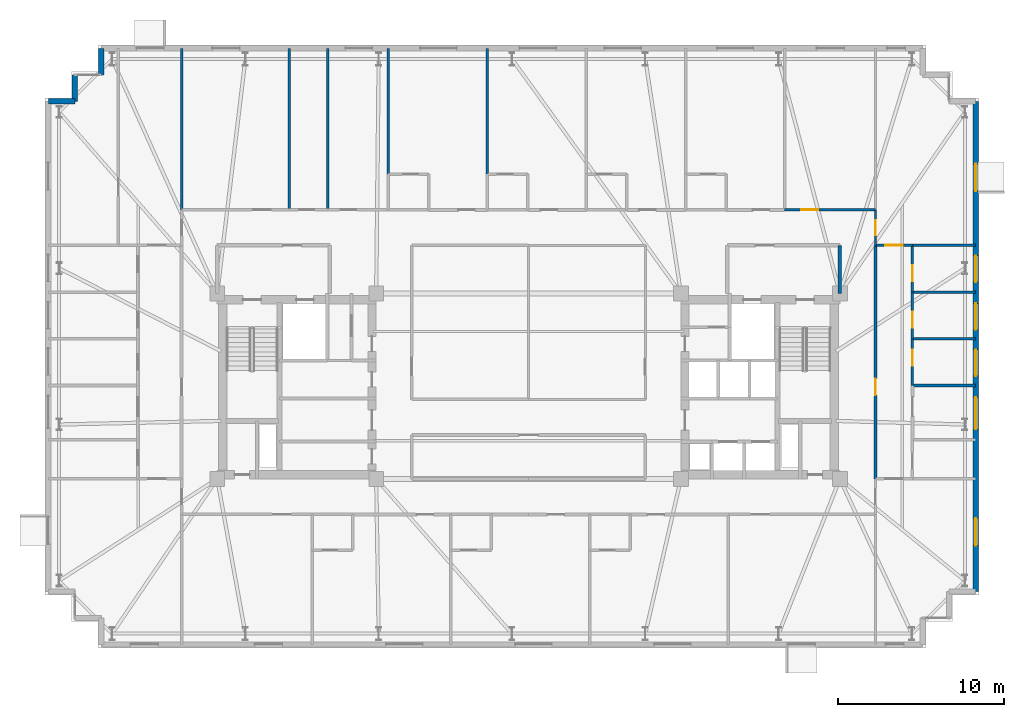
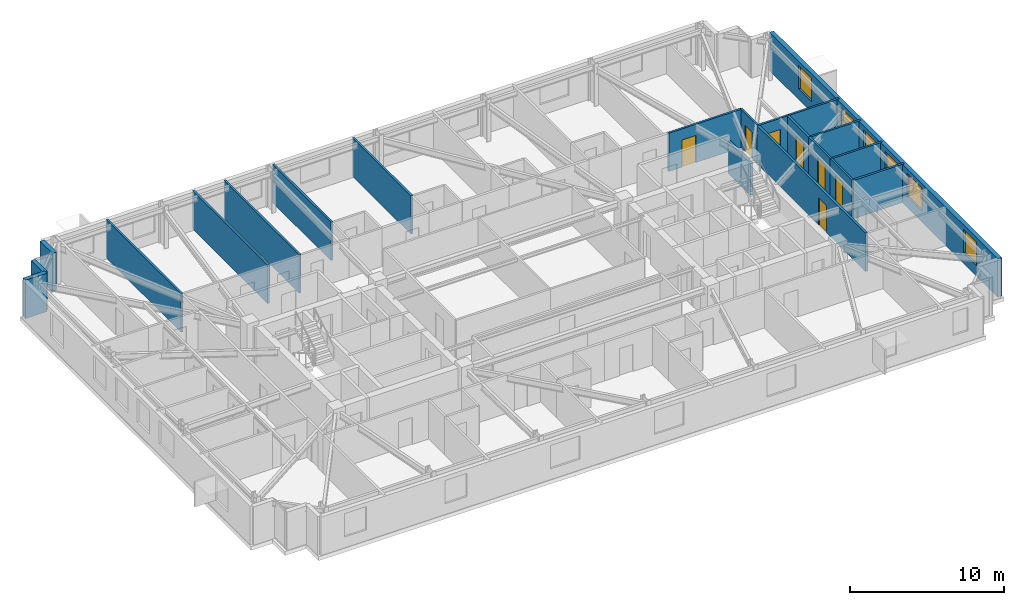
# One storey, part 15 of 18: 21 walls, 7 doors, 6 windows, 13 openings.
"""IFC4 building model written with IfcOpenShell, lengths in metres."""

from ifc_helpers import new_model, si_unit, direction, frame, frame_2d, origin, place, context, subcontext, project, spatial, rectangle, extrude, material, layer, layer_set, type_object, element, fill, save


model = new_model("IFC4")

# Units and contexts
model_context = context("Model", 3, precision=1e-05, world=origin(), true_north=direction((0.0, 1.0)))
body_context = subcontext(model_context, "Body", "Model", "MODEL_VIEW")
ifc_project = project(units=[si_unit("LENGTHUNIT", "METRE"), si_unit("AREAUNIT", "SQUARE_METRE"), si_unit("VOLUMEUNIT", "CUBIC_METRE"), si_unit("PLANEANGLEUNIT", "RADIAN"), si_unit("MASSUNIT", "GRAM", prefix="KILO")], contexts=[model_context])

# Site, building, storey
site_placement = place(None, origin())
site = spatial("IfcSite", under=ifc_project, at=site_placement, CompositionType="ELEMENT")
building_placement = place(site_placement, origin())
building = spatial("IfcBuilding", under=site, at=building_placement, Name="Qobustan Lattice House", CompositionType="ELEMENT")
storey_placement = place(building_placement, frame((0.0, 0.0, 134.35009765625)))
storey = spatial("IfcBuildingStorey", under=building, at=storey_placement, Name="L37", CompositionType="ELEMENT", Elevation=134.35009765625)

# Walls
ifc_material_1 = material(Name="Precast concrete C40/50", Category="concrete")
ifc_layer_1 = layer(ifc_material_1, 0.320068359375)
ifc_layer_set_1 = layer_set([ifc_layer_1], Name="Precast concrete C40/50")
wall_type_1 = type_object("IfcWallType", Name="WAL-EXT-STONE-320", PredefinedType="SOLIDWALL", material=ifc_layer_set_1)
for number, where, z_axis, x_axis, name in (
    (1, (-29.0, 17.199951171875, 0.0), (0.0, 0.0, 1.0), (1.0, 0.0, 0.0), "L37 exterior limestone-clad wall 6"),
    (2, (-27.39990234375, 17.199951171875, 0.0), (0.0, 0.0, 1.0), (0.0, 1.0, 0.0), "L37 exterior limestone-clad wall 7"),
):
    element("IfcWall", number, at=place(storey_placement, frame(where, z_axis=z_axis, x_axis=x_axis)), inside=storey, type_object=wall_type_1, Name=name, PredefinedType="SOLIDWALL", context=body_context, shape_type="SweptSolid", body=[
        extrude(rectangle(XDim=1.60009765625, YDim=0.320068359375, at=frame_2d((0.800048828125, 0.0))), origin(), (0.0, 0.0, 1.0), 3.039794921875),
    ])
wall_1_placement = place(storey_placement, frame((-25.800048828125, 18.800048828125, 0.0), z_axis=(0.0, 0.0, 1.0), x_axis=(0.0, 1.0, 0.0)))
element("IfcWall", 3, at=wall_1_placement, inside=storey, type_object=wall_type_1, Name="L37 exterior limestone-clad wall 9", PredefinedType="SOLIDWALL", context=body_context, shape_type="SweptSolid", body=[
    extrude(rectangle(XDim=1.599853515625, YDim=0.320068359375, at=frame_2d((0.7998046875, 0.0))), origin(), (0.0, 0.0, 1.0), 3.039794921875),
])

# Wall, openings, windows
wall_2_placement = place(storey_placement, frame((27.0, 17.199951171875, 0.0), z_axis=(0.0, 0.0, 1.0), x_axis=(0.0, -1.0, 0.0)))
wall_2 = element("IfcWall", 4, at=wall_2_placement, inside=storey, type_object=wall_type_1, Name="L37 exterior limestone-clad wall 15", PredefinedType="SOLIDWALL", context=body_context, shape_type="SweptSolid", body=[
    extrude(rectangle(XDim=29.599853515625, YDim=0.320068359375, at=frame_2d((14.7998046875, 0.0))), origin(), (0.0, 0.0, 1.0), 3.039794921875),
])
opening_1_placement = place(wall_2_placement, frame((3.77490234375, 0.0, 0.85009765625)))
opening_1 = element("IfcOpeningElement", 5, at=opening_1_placement, cuts=wall_2, Name="Opening WN-09", PredefinedType="OPENING", context=body_context, shape_type="SweptSolid", body=[
    extrude(rectangle(XDim=1.64990234375, YDim=1.85009765625, at=frame_2d((0.824951171875, 0.925048828125))), frame((0.0, 0.169921875, 0.0), z_axis=(0.0, -1.0, 0.0), x_axis=(1.0, 0.0, 0.0)), (0.0, 0.0, 1.0), 0.340087890625),
])
opening_2_placement = place(wall_2_placement, frame((9.320068359375, 0.0, 0.85009765625)))
opening_2 = element("IfcOpeningElement", 6, at=opening_2_placement, cuts=wall_2, Name="Opening WN-13", PredefinedType="OPENING", context=body_context, shape_type="SweptSolid", body=[
    extrude(rectangle(XDim=1.60009765625, YDim=1.85009765625, at=frame_2d((0.800048828125, 0.925048828125))), frame((0.0, 0.169921875, 0.0), z_axis=(0.0, -1.0, 0.0), x_axis=(1.0, 0.0, 0.0)), (0.0, 0.0, 1.0), 0.340087890625),
])
opening_3_placement = place(wall_2_placement, frame((12.199951171875, 0.0, 0.85009765625)))
opening_3 = element("IfcOpeningElement", 7, at=opening_3_placement, cuts=wall_2, Name="Opening WN-13", PredefinedType="OPENING", context=body_context, shape_type="SweptSolid", body=[
    extrude(rectangle(XDim=1.60009765625, YDim=1.85009765625, at=frame_2d((0.800048828125, 0.925048828125))), frame((0.0, 0.169921875, 0.0), z_axis=(0.0, -1.0, 0.0), x_axis=(1.0, 0.0, 0.0)), (0.0, 0.0, 1.0), 0.340087890625),
])
opening_4_placement = place(wall_2_placement, frame((15.0, 0.0, 0.85009765625)))
opening_4 = element("IfcOpeningElement", 8, at=opening_4_placement, cuts=wall_2, Name="Opening WN-13", PredefinedType="OPENING", context=body_context, shape_type="SweptSolid", body=[
    extrude(rectangle(XDim=1.60009765625, YDim=1.85009765625, at=frame_2d((0.800048828125, 0.925048828125))), frame((0.0, 0.169921875, 0.0), z_axis=(0.0, -1.0, 0.0), x_axis=(1.0, 0.0, 0.0)), (0.0, 0.0, 1.0), 0.340087890625),
])
opening_5_placement = place(wall_2_placement, frame((17.864990234375, 0.0, 0.85009765625)))
opening_5 = element("IfcOpeningElement", 9, at=opening_5_placement, cuts=wall_2, Name="Opening WN-08", PredefinedType="OPENING", context=body_context, shape_type="SweptSolid", body=[
    extrude(rectangle(XDim=1.949951171875, YDim=1.85009765625, at=frame_2d((0.97509765625, 0.925048828125))), frame((0.0, 0.169921875, 0.0), z_axis=(0.0, -1.0, 0.0), x_axis=(1.0, 0.0, 0.0)), (0.0, 0.0, 1.0), 0.340087890625),
])
opening_6_placement = place(wall_2_placement, frame((25.175048828125, 0.0, 0.85009765625)))
opening_6 = element("IfcOpeningElement", 10, at=opening_6_placement, cuts=wall_2, Name="Opening WN-09", PredefinedType="OPENING", context=body_context, shape_type="SweptSolid", body=[
    extrude(rectangle(XDim=1.64990234375, YDim=1.85009765625, at=frame_2d((0.824951171875, 0.925048828125))), frame((0.0, 0.169921875, 0.0), z_axis=(0.0, -1.0, 0.0), x_axis=(1.0, 0.0, 0.0)), (0.0, 0.0, 1.0), 0.340087890625),
])
ifc_material_2 = material(Name="Double-glazed low-E aluminium window", Category="aluminium")
window_type_1 = type_object("IfcWindowType", Name="WIN-BED-1600x1850", PartitioningType="SINGLE_PANEL", PredefinedType="WINDOW", material=ifc_material_2)
window_1_placement = place(opening_2_placement, origin())
window_1 = element("IfcWindow", 11, at=window_1_placement, inside=storey, type_object=window_type_1, Name="L37 Cluster bedroom L37E3 window", OverallHeight=1.85009765625, OverallWidth=1.60009765625, PartitioningType="SINGLE_PANEL", PredefinedType="WINDOW", context=body_context, shape_type="SweptSolid", body=[
    extrude(rectangle(XDim=1.60009765625, YDim=1.85009765625, at=frame_2d((0.800048828125, 0.925048828125))), frame((0.0, 0.030029296875, 0.0), z_axis=(0.0, -1.0, 0.0), x_axis=(1.0, 0.0, 0.0)), (0.0, 0.0, 1.0), 0.06005859375),
])
fill(opening_2, window_1)
window_2_placement = place(opening_3_placement, origin())
window_2 = element("IfcWindow", 12, at=window_2_placement, inside=storey, type_object=window_type_1, Name="L37 Cluster bedroom L37E2 window", OverallHeight=1.85009765625, OverallWidth=1.60009765625, PartitioningType="SINGLE_PANEL", PredefinedType="WINDOW", context=body_context, shape_type="SweptSolid", body=[
    extrude(rectangle(XDim=1.60009765625, YDim=1.85009765625, at=frame_2d((0.800048828125, 0.925048828125))), frame((0.0, 0.030029296875, 0.0), z_axis=(0.0, -1.0, 0.0), x_axis=(1.0, 0.0, 0.0)), (0.0, 0.0, 1.0), 0.06005859375),
])
fill(opening_3, window_2)
window_3_placement = place(opening_4_placement, origin())
window_3 = element("IfcWindow", 13, at=window_3_placement, inside=storey, type_object=window_type_1, Name="L37 Cluster bedroom L37E1 window", OverallHeight=1.85009765625, OverallWidth=1.60009765625, PartitioningType="SINGLE_PANEL", PredefinedType="WINDOW", context=body_context, shape_type="SweptSolid", body=[
    extrude(rectangle(XDim=1.60009765625, YDim=1.85009765625, at=frame_2d((0.800048828125, 0.925048828125))), frame((0.0, 0.030029296875, 0.0), z_axis=(0.0, -1.0, 0.0), x_axis=(1.0, 0.0, 0.0)), (0.0, 0.0, 1.0), 0.06005859375),
])
fill(opening_4, window_3)
ifc_material_3 = material(Name="Double-glazed low-E aluminium window", Category="aluminium")
window_type_2 = type_object("IfcWindowType", Name="WIN-KIT-1950x1850", PartitioningType="SINGLE_PANEL", PredefinedType="WINDOW", material=ifc_material_3)
window_4_placement = place(opening_5_placement, origin())
window_4 = element("IfcWindow", 14, at=window_4_placement, inside=storey, type_object=window_type_2, Name="L37 Shared kitchen L37E window", OverallHeight=1.85009765625, OverallWidth=1.949951171875, PartitioningType="SINGLE_PANEL", PredefinedType="WINDOW", context=body_context, shape_type="SweptSolid", body=[
    extrude(rectangle(XDim=1.949951171875, YDim=1.85009765625, at=frame_2d((0.97509765625, 0.925048828125))), frame((0.0, 0.030029296875, 0.0), z_axis=(0.0, -1.0, 0.0), x_axis=(1.0, 0.0, 0.0)), (0.0, 0.0, 1.0), 0.06005859375),
])
fill(opening_5, window_4)
ifc_material_4 = material(Name="Double-glazed low-E aluminium window", Category="aluminium")
window_type_3 = type_object("IfcWindowType", Name="WIN-STU-1650x1850", PartitioningType="SINGLE_PANEL", PredefinedType="WINDOW", material=ifc_material_4)
window_5_placement = place(opening_1_placement, origin())
window_5 = element("IfcWindow", 15, at=window_5_placement, inside=storey, type_object=window_type_3, Name="L37 Reading study room L37EN window", OverallHeight=1.85009765625, OverallWidth=1.64990234375, PartitioningType="SINGLE_PANEL", PredefinedType="WINDOW", context=body_context, shape_type="SweptSolid", body=[
    extrude(rectangle(XDim=1.64990234375, YDim=1.85009765625, at=frame_2d((0.824951171875, 0.925048828125))), frame((0.0, 0.030029296875, 0.0), z_axis=(0.0, -1.0, 0.0), x_axis=(1.0, 0.0, 0.0)), (0.0, 0.0, 1.0), 0.06005859375),
])
fill(opening_1, window_5)
window_6_placement = place(opening_6_placement, origin())
window_6 = element("IfcWindow", 16, at=window_6_placement, inside=storey, type_object=window_type_3, Name="L37 Reading study room L37ES window", OverallHeight=1.85009765625, OverallWidth=1.64990234375, PartitioningType="SINGLE_PANEL", PredefinedType="WINDOW", context=body_context, shape_type="SweptSolid", body=[
    extrude(rectangle(XDim=1.64990234375, YDim=1.85009765625, at=frame_2d((0.824951171875, 0.925048828125))), frame((0.0, 0.030029296875, 0.0), z_axis=(0.0, -1.0, 0.0), x_axis=(1.0, 0.0, 0.0)), (0.0, 0.0, 1.0), 0.06005859375),
])
fill(opening_6, window_6)

# Wall, opening, door
ifc_material_5 = material(Name="Gypsum fireboard acoustic partition", Category="gypsum")
ifc_layer_2 = layer(ifc_material_5, 0.179931640625)
ifc_layer_set_2 = layer_set([ifc_layer_2], Name="Gypsum fireboard acoustic partition")
wall_type_2 = type_object("IfcWallType", Name="WAL-FIRE-180", PredefinedType="PARTITIONING", material=ifc_layer_set_2)
wall_3_placement = place(storey_placement, frame((20.949951171875, 8.5, 0.0), z_axis=(0.0, 0.0, 1.0), x_axis=(0.0, -1.0, 0.0)))
wall_3 = element("IfcWall", 17, at=wall_3_placement, inside=storey, type_object=wall_type_2, Name="L37 interior partition 64", PredefinedType="PARTITIONING", context=body_context, shape_type="SweptSolid", body=[
    extrude(rectangle(XDim=14.10009765625, YDim=0.179931640625, at=frame_2d((7.050048828125, 0.0))), origin(), (0.0, 0.0, 1.0), 3.039794921875),
])
opening_7_placement = place(wall_3_placement, frame((8.04248046875, 0.0, 0.0)))
opening_7 = element("IfcOpeningElement", 18, at=opening_7_placement, cuts=wall_3, Name="Opening FD-02", PredefinedType="OPENING", context=body_context, shape_type="SweptSolid", body=[
    extrude(rectangle(XDim=1.0, YDim=2.14990234375, at=frame_2d((0.5, 1.074951171875))), frame((0.0, 0.099853515625, 0.0), z_axis=(0.0, -1.0, 0.0), x_axis=(1.0, 0.0, 0.0)), (0.0, 0.0, 1.0), 0.199951171875),
])
ifc_material_6 = material(Name="Persian walnut timber and steel frame door", Category="steel")
door_type_1 = type_object("IfcDoorType", Name="DOR-UNIT-FD-1000x2150", OperationType="NOTDEFINED", PredefinedType="DOOR", material=ifc_material_6)
door_1_placement = place(opening_7_placement, origin())
door_1 = element("IfcDoor", 19, at=door_1_placement, inside=storey, type_object=door_type_1, Name="L37 East wing spine gallery to Residence entrance hall L37E door", OperationType="SINGLE_SWING_LEFT", OverallHeight=2.14990234375, OverallWidth=1.0, PredefinedType="DOOR", context=body_context, shape_type="SweptSolid", body=[
    extrude(rectangle(XDim=1.0, YDim=2.14990234375, at=frame_2d((0.5, 1.074951171875))), frame((0.0, 0.02490234375, 0.0), z_axis=(0.0, -1.0, 0.0), x_axis=(1.0, 0.0, 0.0)), (0.0, 0.0, 1.0), 0.050048828125),
])
fill(opening_7, door_1)

ifc_material_7 = material(Name="Acoustic twin-stud gypsum partition", Category="gypsum")
ifc_layer_3 = layer(ifc_material_7, 0.14990234375)
ifc_layer_set_3 = layer_set([ifc_layer_3], Name="Acoustic twin-stud gypsum partition")
wall_type_3 = type_object("IfcWallType", Name="WAL-PART-150", PredefinedType="PARTITIONING", material=ifc_layer_set_3)
wall_4_placement = place(storey_placement, frame((20.949951171875, 10.64990234375, 0.0), z_axis=(0.0, 0.0, 1.0), x_axis=(0.0, -1.0, 0.0)))
wall_4 = element("IfcWall", 20, at=wall_4_placement, inside=storey, type_object=wall_type_3, Name="L37 interior partition 42", PredefinedType="PARTITIONING", context=body_context, shape_type="SweptSolid", body=[
    extrude(rectangle(XDim=2.14990234375, YDim=0.14990234375, at=frame_2d((1.074951171875, 0.0))), origin(), (0.0, 0.0, 1.0), 3.039794921875),
])
opening_8_placement = place(wall_4_placement, frame((0.625, 0.0, 0.0)))
opening_8 = element("IfcOpeningElement", 21, at=opening_8_placement, cuts=wall_4, Name="Opening WD-01", PredefinedType="OPENING", context=body_context, shape_type="SweptSolid", body=[
    extrude(rectangle(XDim=0.89990234375, YDim=2.10009765625, at=frame_2d((0.449951171875, 1.050048828125))), frame((0.0, 0.0849609375, 0.0), z_axis=(0.0, -1.0, 0.0), x_axis=(1.0, 0.0, 0.0)), (0.0, 0.0, 1.0), 0.169921875),
])
ifc_material_8 = material(Name="Persian walnut timber and steel frame door", Category="steel")
door_type_2 = type_object("IfcDoorType", Name="DOR-WET-900x2100", OperationType="NOTDEFINED", PredefinedType="DOOR", material=ifc_material_8)
door_2_placement = place(opening_8_placement, origin())
door_2 = element("IfcDoor", 22, at=door_2_placement, inside=storey, type_object=door_type_2, Name="L37 North-east floor corridor to Reading study room L37EN door", OperationType="SINGLE_SWING_RIGHT", OverallHeight=2.10009765625, OverallWidth=0.89990234375, PredefinedType="DOOR", context=body_context, shape_type="SweptSolid", body=[
    extrude(rectangle(XDim=0.89990234375, YDim=2.10009765625, at=frame_2d((0.449951171875, 1.050048828125))), frame((0.0, 0.02490234375, 0.0), z_axis=(0.0, -1.0, 0.0), x_axis=(1.0, 0.0, 0.0)), (0.0, 0.0, 1.0), 0.050048828125),
])
fill(opening_8, door_2)

wall_5_placement = place(storey_placement, frame((15.464111328125, 10.64990234375, 0.0), z_axis=(0.0, 0.0, 1.0), x_axis=(1.0, 0.0, 0.0)))
wall_5 = element("IfcWall", 23, at=wall_5_placement, inside=storey, type_object=wall_type_3, Name="L37 interior partition 48", PredefinedType="PARTITIONING", context=body_context, shape_type="SweptSolid", body=[
    extrude(rectangle(XDim=5.48583984375, YDim=0.14990234375, at=frame_2d((2.742919921875, 0.0))), origin(), (0.0, 0.0, 1.0), 3.039794921875),
])
opening_9_placement = place(wall_5_placement, frame((0.989501953125, 0.0, 0.0)))
opening_9 = element("IfcOpeningElement", 24, at=opening_9_placement, cuts=wall_5, Name="Opening ID-02", PredefinedType="OPENING", context=body_context, shape_type="SweptSolid", body=[
    extrude(rectangle(XDim=1.050048828125, YDim=2.14990234375, at=frame_2d((0.52490234375, 1.074951171875))), frame((0.0, 0.0849609375, 0.0), z_axis=(0.0, -1.0, 0.0), x_axis=(1.0, 0.0, 0.0)), (0.0, 0.0, 1.0), 0.169921875),
])
ifc_material_9 = material(Name="Persian walnut timber and steel frame door", Category="steel")
door_type_3 = type_object("IfcDoorType", Name="DOR-STUDY-1050x2150", OperationType="NOTDEFINED", PredefinedType="DOOR", material=ifc_material_9)
door_3_placement = place(opening_9_placement, origin())
door_3 = element("IfcDoor", 25, at=door_3_placement, inside=storey, type_object=door_type_3, Name="L37 North-east floor corridor to Focus study room N7 door", OperationType="SINGLE_SWING_RIGHT", OverallHeight=2.14990234375, OverallWidth=1.050048828125, PredefinedType="DOOR", context=body_context, shape_type="SweptSolid", body=[
    extrude(rectangle(XDim=1.050048828125, YDim=2.14990234375, at=frame_2d((0.52490234375, 1.074951171875))), frame((0.0, 0.02490234375, 0.0), z_axis=(0.0, -1.0, 0.0), x_axis=(1.0, 0.0, 0.0)), (0.0, 0.0, 1.0), 0.050048828125),
])
fill(opening_9, door_3)

# Wall
wall_6_placement = place(storey_placement, frame((-20.949951171875, 20.39990234375, 0.0), z_axis=(0.0, 0.0, 1.0), x_axis=(0.0, -1.0, 0.0)))
element("IfcWall", 26, at=wall_6_placement, inside=storey, type_object=wall_type_3, Name="L37 interior partition 81", PredefinedType="PARTITIONING", context=body_context, shape_type="SweptSolid", body=[
    extrude(rectangle(XDim=9.75, YDim=0.14990234375, at=frame_2d((4.875, 0.0))), origin(), (0.0, 0.0, 1.0), 3.039794921875),
])

# Wall, opening, door
wall_7_placement = place(storey_placement, frame((20.949951171875, 8.5, 0.0), z_axis=(0.0, 0.0, 1.0), x_axis=(1.0, 0.0, 0.0)))
wall_7 = element("IfcWall", 27, at=wall_7_placement, inside=storey, type_object=wall_type_3, Name="L37 interior partition 89", PredefinedType="PARTITIONING", context=body_context, shape_type="SweptSolid", body=[
    extrude(rectangle(XDim=2.22998046875, YDim=0.14990234375, at=frame_2d((1.114990234375, 0.0))), origin(), (0.0, 0.0, 1.0), 3.039794921875),
])
opening_10_placement = place(wall_7_placement, frame((0.590087890625, 0.0, 0.0)))
opening_10 = element("IfcOpeningElement", 28, at=opening_10_placement, cuts=wall_7, Name="Opening ID-02", PredefinedType="OPENING", context=body_context, shape_type="SweptSolid", body=[
    extrude(rectangle(XDim=1.050048828125, YDim=2.14990234375, at=frame_2d((0.52490234375, 1.074951171875))), frame((0.0, 0.0849609375, 0.0), z_axis=(0.0, -1.0, 0.0), x_axis=(1.0, 0.0, 0.0)), (0.0, 0.0, 1.0), 0.169921875),
])
door_4_placement = place(opening_10_placement, origin())
door_4 = element("IfcDoor", 29, at=door_4_placement, inside=storey, type_object=door_type_3, Name="L37 Residence entrance hall L37E to Reading study room L37EN door", OperationType="SINGLE_SWING_LEFT", OverallHeight=2.14990234375, OverallWidth=1.050048828125, PredefinedType="DOOR", context=body_context, shape_type="SweptSolid", body=[
    extrude(rectangle(XDim=1.050048828125, YDim=2.14990234375, at=frame_2d((0.52490234375, 1.074951171875))), frame((0.0, 0.02490234375, 0.0), z_axis=(0.0, -1.0, 0.0), x_axis=(1.0, 0.0, 0.0)), (0.0, 0.0, 1.0), 0.050048828125),
])
fill(opening_10, door_4)

wall_8_placement = place(storey_placement, frame((23.179931640625, 2.860107421875, 0.0), z_axis=(0.0, 0.0, 1.0), x_axis=(0.0, -1.0, 0.0)))
wall_8 = element("IfcWall", 30, at=wall_8_placement, inside=storey, type_object=wall_type_3, Name="L37 interior partition 93", PredefinedType="PARTITIONING", context=body_context, shape_type="SweptSolid", body=[
    extrude(rectangle(XDim=2.820068359375, YDim=0.14990234375, at=frame_2d((1.41015625, 0.0))), origin(), (0.0, 0.0, 1.0), 3.039794921875),
])
opening_11_placement = place(wall_8_placement, frame((0.668701171875, 0.0, 0.0)))
opening_11 = element("IfcOpeningElement", 31, at=opening_11_placement, cuts=wall_8, Name="Opening ID-01", PredefinedType="OPENING", context=body_context, shape_type="SweptSolid", body=[
    extrude(rectangle(XDim=0.949951171875, YDim=2.10009765625, at=frame_2d((0.47509765625, 1.050048828125))), frame((0.0, 0.0849609375, 0.0), z_axis=(0.0, -1.0, 0.0), x_axis=(1.0, 0.0, 0.0)), (0.0, 0.0, 1.0), 0.169921875),
])
ifc_material_10 = material(Name="Persian walnut timber and steel frame door", Category="steel")
door_type_4 = type_object("IfcDoorType", Name="DOR-ROOM-950x2100", OperationType="NOTDEFINED", PredefinedType="DOOR", material=ifc_material_10)
door_5_placement = place(opening_11_placement, origin())
door_5 = element("IfcDoor", 32, at=door_5_placement, inside=storey, type_object=door_type_4, Name="L37 Residence entrance hall L37E to Cluster bedroom L37E1 door", OperationType="SINGLE_SWING_LEFT", OverallHeight=2.10009765625, OverallWidth=0.949951171875, PredefinedType="DOOR", context=body_context, shape_type="SweptSolid", body=[
    extrude(rectangle(XDim=0.949951171875, YDim=2.10009765625, at=frame_2d((0.47509765625, 1.050048828125))), frame((0.0, 0.02490234375, 0.0), z_axis=(0.0, -1.0, 0.0), x_axis=(1.0, 0.0, 0.0)), (0.0, 0.0, 1.0), 0.050048828125),
])
fill(opening_11, door_5)

wall_9_placement = place(storey_placement, frame((23.179931640625, 5.679931640625, 0.0), z_axis=(0.0, 0.0, 1.0), x_axis=(0.0, -1.0, 0.0)))
wall_9 = element("IfcWall", 33, at=wall_9_placement, inside=storey, type_object=wall_type_3, Name="L37 interior partition 94", PredefinedType="PARTITIONING", context=body_context, shape_type="SweptSolid", body=[
    extrude(rectangle(XDim=2.81982421875, YDim=0.14990234375, at=frame_2d((1.409912109375, 0.0))), origin(), (0.0, 0.0, 1.0), 3.039794921875),
])
opening_12_placement = place(wall_9_placement, frame((1.201171875, 0.0, 0.0)))
opening_12 = element("IfcOpeningElement", 34, at=opening_12_placement, cuts=wall_9, Name="Opening ID-01", PredefinedType="OPENING", context=body_context, shape_type="SweptSolid", body=[
    extrude(rectangle(XDim=0.949951171875, YDim=2.10009765625, at=frame_2d((0.47509765625, 1.050048828125))), frame((0.0, 0.0849609375, 0.0), z_axis=(0.0, -1.0, 0.0), x_axis=(1.0, 0.0, 0.0)), (0.0, 0.0, 1.0), 0.169921875),
])
door_6_placement = place(opening_12_placement, origin())
door_6 = element("IfcDoor", 35, at=door_6_placement, inside=storey, type_object=door_type_4, Name="L37 Residence entrance hall L37E to Cluster bedroom L37E2 door", OperationType="SINGLE_SWING_RIGHT", OverallHeight=2.10009765625, OverallWidth=0.949951171875, PredefinedType="DOOR", context=body_context, shape_type="SweptSolid", body=[
    extrude(rectangle(XDim=0.949951171875, YDim=2.10009765625, at=frame_2d((0.47509765625, 1.050048828125))), frame((0.0, 0.02490234375, 0.0), z_axis=(0.0, -1.0, 0.0), x_axis=(1.0, 0.0, 0.0)), (0.0, 0.0, 1.0), 0.050048828125),
])
fill(opening_12, door_6)

wall_10_placement = place(storey_placement, frame((23.179931640625, 8.5, 0.0), z_axis=(0.0, 0.0, 1.0), x_axis=(0.0, -1.0, 0.0)))
wall_10 = element("IfcWall", 36, at=wall_10_placement, inside=storey, type_object=wall_type_3, Name="L37 interior partition 95", PredefinedType="PARTITIONING", context=body_context, shape_type="SweptSolid", body=[
    extrude(rectangle(XDim=2.820068359375, YDim=0.14990234375, at=frame_2d((1.41015625, 0.0))), origin(), (0.0, 0.0, 1.0), 3.039794921875),
])
opening_13_placement = place(wall_10_placement, frame((1.201171875, 0.0, 0.0)))
opening_13 = element("IfcOpeningElement", 37, at=opening_13_placement, cuts=wall_10, Name="Opening ID-01", PredefinedType="OPENING", context=body_context, shape_type="SweptSolid", body=[
    extrude(rectangle(XDim=0.949951171875, YDim=2.10009765625, at=frame_2d((0.47509765625, 1.050048828125))), frame((0.0, 0.0849609375, 0.0), z_axis=(0.0, -1.0, 0.0), x_axis=(1.0, 0.0, 0.0)), (0.0, 0.0, 1.0), 0.169921875),
])
door_7_placement = place(opening_13_placement, origin())
door_7 = element("IfcDoor", 38, at=door_7_placement, inside=storey, type_object=door_type_4, Name="L37 Residence entrance hall L37E to Cluster bedroom L37E3 door", OperationType="SINGLE_SWING_LEFT", OverallHeight=2.10009765625, OverallWidth=0.949951171875, PredefinedType="DOOR", context=body_context, shape_type="SweptSolid", body=[
    extrude(rectangle(XDim=0.949951171875, YDim=2.10009765625, at=frame_2d((0.47509765625, 1.050048828125))), frame((0.0, 0.02490234375, 0.0), z_axis=(0.0, -1.0, 0.0), x_axis=(1.0, 0.0, 0.0)), (0.0, 0.0, 1.0), 0.050048828125),
])
fill(opening_13, door_7)

# Walls
for number, where, z_axis, x_axis, name in (
    (39, (27.0, 8.5, 0.0), (0.0, 0.0, 1.0), (-1.0, 0.0, 0.0), "L37 interior partition 96"),
    (40, (23.179931640625, 2.860107421875, 0.0), (0.0, 0.0, 1.0), (1.0, 0.0, 0.0), "L37 interior partition 102"),
    (41, (23.179931640625, 5.679931640625, 0.0), (0.0, 0.0, 1.0), (1.0, 0.0, 0.0), "L37 interior partition 103"),
):
    element("IfcWall", number, at=place(storey_placement, frame(where, z_axis=z_axis, x_axis=x_axis)), inside=storey, type_object=wall_type_3, Name=name, PredefinedType="PARTITIONING", context=body_context, shape_type="SweptSolid", body=[
        extrude(rectangle(XDim=3.820068359375, YDim=0.14990234375, at=frame_2d((1.91015625, 0.0))), origin(), (0.0, 0.0, 1.0), 3.039794921875),
    ])
for number, where, z_axis, x_axis, name in (
    (42, (-8.47900390625, 20.39990234375, 0.0), (0.0, 0.0, 1.0), (0.0, -1.0, 0.0), "L37 interior partition 106"),
    (43, (-2.492919921875, 20.39990234375, 0.0), (0.0, 0.0, 1.0), (0.0, -1.0, 0.0), "L37 interior partition 110"),
):
    element("IfcWall", number, at=place(storey_placement, frame(where, z_axis=z_axis, x_axis=x_axis)), inside=storey, type_object=wall_type_3, Name=name, PredefinedType="PARTITIONING", context=body_context, shape_type="SweptSolid", body=[
        extrude(rectangle(XDim=7.599853515625, YDim=0.14990234375, at=frame_2d((3.7998046875, 0.0))), origin(), (0.0, 0.0, 1.0), 3.039794921875),
    ])
ifc_material_11 = material(Name="High-mass acoustic twin-stud partition", Category="gypsum")
ifc_layer_4 = layer(ifc_material_11, 0.1650390625)
ifc_layer_set_4 = layer_set([ifc_layer_4], Name="High-mass acoustic twin-stud partition")
wall_type_4 = type_object("IfcWallType", Name="WAL-PART-165", PredefinedType="PARTITIONING", material=ifc_layer_set_4)
wall_11_placement = place(storey_placement, frame((23.179931640625, 0.0400390625, 0.0), z_axis=(0.0, 0.0, 1.0), x_axis=(1.0, 0.0, 0.0)))
element("IfcWall", 44, at=wall_11_placement, inside=storey, type_object=wall_type_4, Name="L37 interior partition 101", PredefinedType="PARTITIONING", context=body_context, shape_type="SweptSolid", body=[
    extrude(rectangle(XDim=3.820068359375, YDim=0.1650390625, at=frame_2d((1.91015625, 0.0))), origin(), (0.0, 0.0, 1.0), 3.039794921875),
])
ifc_material_12 = material(Name="Two-hour gypsum fireboard acoustic partition", Category="gypsum")
ifc_layer_5 = layer(ifc_material_12, 0.199951171875)
ifc_layer_set_5 = layer_set([ifc_layer_5], Name="Two-hour gypsum fireboard acoustic partition")
wall_type_5 = type_object("IfcWallType", Name="WAL-PROT-200", PredefinedType="PARTITIONING", material=ifc_layer_set_5)
wall_12_placement = place(storey_placement, frame((18.800048828125, 5.60009765625, 0.0), z_axis=(0.0, 0.0, 1.0), x_axis=(0.0, 1.0, 0.0)))
element("IfcWall", 45, at=wall_12_placement, inside=storey, type_object=wall_type_5, Name="L37 interior partition 19", PredefinedType="PARTITIONING", context=body_context, shape_type="SweptSolid", body=[
    extrude(rectangle(XDim=2.89990234375, YDim=0.199951171875, at=frame_2d((1.449951171875, 0.0))), origin(), (0.0, 0.0, 1.0), 2.52490234375),
])
ifc_material_13 = material(Name="Moisture-resistant acoustic plumbing wall", Category="gypsum")
ifc_layer_6 = layer(ifc_material_13, 0.14990234375)
ifc_layer_set_6 = layer_set([ifc_layer_6], Name="Moisture-resistant acoustic plumbing wall")
wall_type_6 = type_object("IfcWallType", Name="WAL-WET-150", PredefinedType="PLUMBINGWALL", material=ifc_layer_set_6)
for number, where, z_axis, x_axis, name in (
    (46, (-14.464111328125, 20.39990234375, 0.0), (0.0, 0.0, 1.0), (0.0, -1.0, 0.0), "L37 interior partition 104"),
    (47, (-12.114013671875, 20.39990234375, 0.0), (0.0, 0.0, 1.0), (0.0, -1.0, 0.0), "L37 interior partition 105"),
):
    element("IfcWall", number, at=place(storey_placement, frame(where, z_axis=z_axis, x_axis=x_axis)), inside=storey, type_object=wall_type_6, Name=name, PredefinedType="PLUMBINGWALL", context=body_context, shape_type="SweptSolid", body=[
        extrude(rectangle(XDim=9.75, YDim=0.14990234375, at=frame_2d((4.875, 0.0))), origin(), (0.0, 0.0, 1.0), 3.039794921875),
    ])

save(model, "model.ifc")
